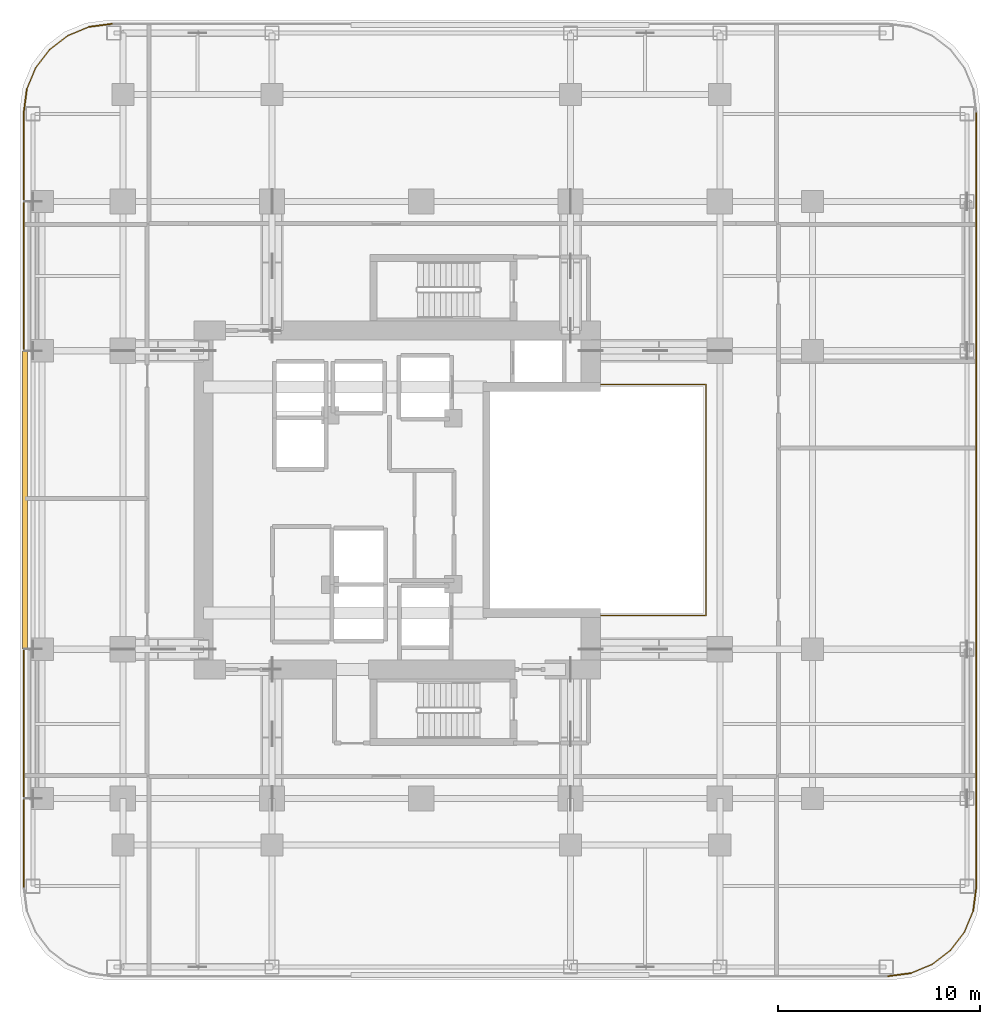
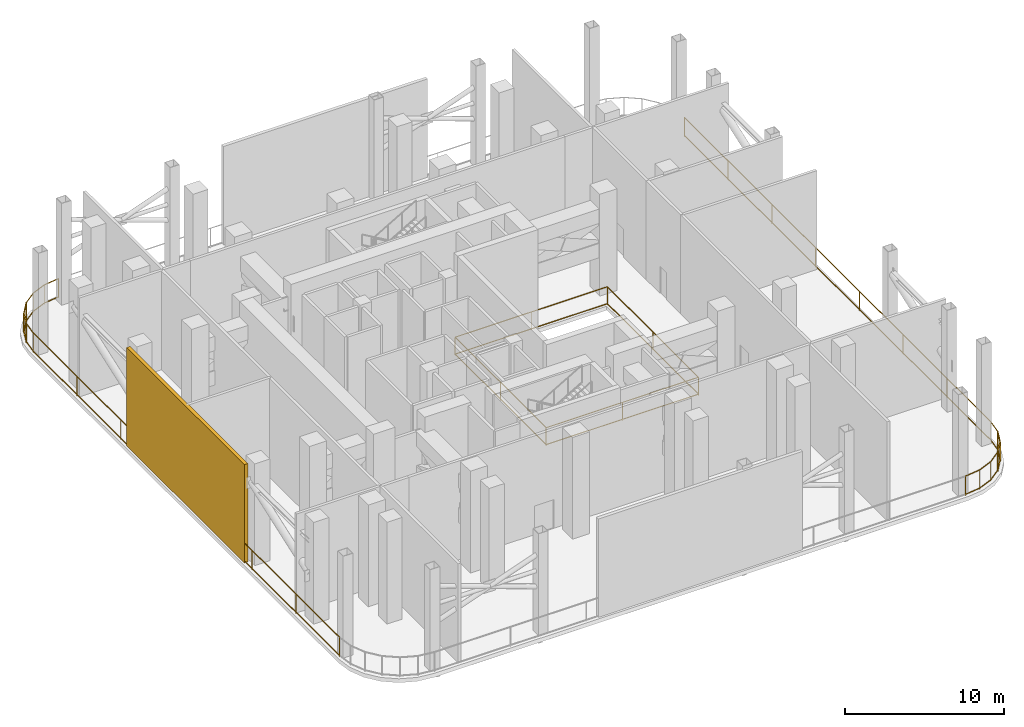
# One storey, part 9 of 10: 15 railings, 1 shading device.
"""IFC4 building model written with IfcOpenShell, lengths in metres."""

from ifc_helpers import new_model, si_unit, direction, frame, origin, origin_2d, place, context, subcontext, project, spatial, rectangle, extrude, material, layer, layer_set, type_object, element, save


model = new_model("IFC4")

# Units and contexts
model_context = context("Model", 3, precision=1e-05, world=origin(), true_north=direction((0.0, 1.0)))
body_context = subcontext(model_context, "Body", "Model", "MODEL_VIEW")
ifc_project = project(units=[si_unit("LENGTHUNIT", "METRE"), si_unit("AREAUNIT", "SQUARE_METRE"), si_unit("VOLUMEUNIT", "CUBIC_METRE"), si_unit("PLANEANGLEUNIT", "RADIAN"), si_unit("MASSUNIT", "GRAM", prefix="KILO")], contexts=[model_context])

# Site, building, storey
site_placement = place(None, origin())
site = spatial("IfcSite", under=ifc_project, at=site_placement, CompositionType="ELEMENT")
building_placement = place(site_placement, origin())
building = spatial("IfcBuilding", under=site, at=building_placement, Name="Khorvyn Point Tower", CompositionType="ELEMENT")
storey_placement = place(building_placement, frame((0.0, 0.0, 156.300048828125)))
storey = spatial("IfcBuildingStorey", under=building, at=storey_placement, Name="L39", CompositionType="ELEMENT", Elevation=156.300048828125)

# Shading device
ifc_material_1 = material(Name="Pale anodised aluminium 6063-T6", Category="aluminium")
ifc_layer = layer(ifc_material_1, 0.25)
ifc_layer_set = layer_set([ifc_layer], Name="Acoustic Hurricane-Louvre Plant Screen")
shading_device_type = type_object("IfcShadingDeviceType", Name="Acoustic Hurricane-Louvre Plant Screen", PredefinedType="JALOUSIE", material=ifc_layer_set)
shading_device_placement = place(storey_placement, frame((-19.64990234375, 0.0, 0.02001953125), z_axis=(0.0, 0.0, 1.0), x_axis=(1.0, 0.0, 0.0)))
element("IfcShadingDevice", 1, at=shading_device_placement, inside=storey, type_object=shading_device_type, Name="L39 Acoustic Hurricane Plant Louvre W", PredefinedType="JALOUSIE", context=body_context, shape_type="SweptSolid", body=[
    extrude(rectangle(XDim=0.25, YDim=14.800048828125, at=origin_2d()), origin(), (0.0, 0.0, 1.0), 7.5400390625),
])

# Railings
ifc_material_2 = material(Name="Stainless steel 1.4401 and laminated glass", Category="steel")
railing_type_1 = type_object("IfcRailingType", Name="Crystal Atrium Smoke-Rated Perimeter Guardrail 1400", PredefinedType="GUARDRAIL", material=ifc_material_2)
railing_1_placement = place(storey_placement, frame((3.080078125, -5.719970703125, 0.0)))
element("IfcRailing", 2, at=railing_1_placement, inside=storey, type_object=railing_type_1, Name="L39 Crystal Atrium Perimeter Guardrail", PredefinedType="GUARDRAIL", context=body_context, shape_type="SweptSolid", body=[
    extrude(rectangle(XDim=0.048095703125, YDim=0.048095703125, at=origin_2d()), frame((0.0, 0.0, 1.3759765625), z_axis=(1.0, 0.0, 0.0), x_axis=(0.0, 1.0, 0.0)), (0.0, 0.0, 1.0), 11.0400390625),
    extrude(rectangle(XDim=0.048095703125, YDim=0.048095703125, at=origin_2d()), frame((0.0, 0.0, 0.080078125), z_axis=(1.0, 0.0, 0.0), x_axis=(0.0, 1.0, 0.0)), (0.0, 0.0, 1.0), 11.0400390625),
    extrude(rectangle(XDim=0.048095703125, YDim=0.048095703125, at=origin_2d()), frame((11.0400390625, 0.0, 1.3759765625), z_axis=(0.0, 1.0, 0.0), x_axis=(-1.0, 0.0, 0.0)), (0.0, 0.0, 1.0), 11.43994140625),
    extrude(rectangle(XDim=0.048095703125, YDim=0.048095703125, at=origin_2d()), frame((11.0400390625, 0.0, 0.080078125), z_axis=(0.0, 1.0, 0.0), x_axis=(-1.0, 0.0, 0.0)), (0.0, 0.0, 1.0), 11.43994140625),
    extrude(rectangle(XDim=0.048095703125, YDim=0.048095703125, at=origin_2d()), frame((11.0400390625, 11.43994140625, 1.3759765625), z_axis=(-1.0, 0.0, 0.0), x_axis=(0.0, -1.0, 0.0)), (0.0, 0.0, 1.0), 11.0400390625),
    extrude(rectangle(XDim=0.048095703125, YDim=0.048095703125, at=origin_2d()), frame((11.0400390625, 11.43994140625, 0.080078125), z_axis=(-1.0, 0.0, 0.0), x_axis=(0.0, -1.0, 0.0)), (0.0, 0.0, 1.0), 11.0400390625),
    extrude(rectangle(XDim=0.048095703125, YDim=0.048095703125, at=origin_2d()), frame((0.0, 11.43994140625, 1.3759765625), z_axis=(0.0, -1.0, 0.0), x_axis=(1.0, 0.0, 0.0)), (0.0, 0.0, 1.0), 11.409912109375),
    extrude(rectangle(XDim=0.048095703125, YDim=0.048095703125, at=origin_2d()), frame((0.0, 11.43994140625, 0.080078125), z_axis=(0.0, -1.0, 0.0), x_axis=(1.0, 0.0, 0.0)), (0.0, 0.0, 1.0), 11.409912109375),
    extrude(rectangle(XDim=0.0419921875, YDim=0.0419921875, at=origin_2d()), origin(), (0.0, 0.0, 1.0), 1.351806640625),
    extrude(rectangle(XDim=0.0419921875, YDim=0.0419921875, at=origin_2d()), frame((5.52001953125, 0.0, 0.0)), (0.0, 0.0, 1.0), 1.351806640625),
    extrude(rectangle(XDim=0.0419921875, YDim=0.0419921875, at=origin_2d()), frame((11.0400390625, 0.0, 0.0)), (0.0, 0.0, 1.0), 1.351806640625),
    extrude(rectangle(XDim=0.0419921875, YDim=0.0419921875, at=origin_2d()), frame((11.0400390625, 5.719970703125, 0.0)), (0.0, 0.0, 1.0), 1.351806640625),
    extrude(rectangle(XDim=0.0419921875, YDim=0.0419921875, at=origin_2d()), frame((11.0400390625, 11.43994140625, 0.0)), (0.0, 0.0, 1.0), 1.351806640625),
    extrude(rectangle(XDim=0.0419921875, YDim=0.0419921875, at=origin_2d()), frame((5.52001953125, 11.43994140625, 0.0)), (0.0, 0.0, 1.0), 1.351806640625),
    extrude(rectangle(XDim=0.0419921875, YDim=0.0419921875, at=origin_2d()), frame((0.0, 11.43994140625, 0.0)), (0.0, 0.0, 1.0), 1.351806640625),
    extrude(rectangle(XDim=0.0419921875, YDim=0.0419921875, at=origin_2d()), frame((0.0, 5.73486328125, 0.0)), (0.0, 0.0, 1.0), 1.351806640625),
    extrude(rectangle(XDim=0.0419921875, YDim=0.0419921875, at=origin_2d()), frame((0.0, 0.030029296875, 0.0)), (0.0, 0.0, 1.0), 1.351806640625),
])
ifc_material_3 = material(Name="Stainless steel 1.4401", Category="steel")
railing_type_2 = type_object("IfcRailingType", Name="School Terrace Anti-Climb Safety Guardrail 1500", PredefinedType="GUARDRAIL", material=ifc_material_3)
railing_2_placement = place(storey_placement, frame((23.144775390625, -23.609619140625, 0.0)))
element("IfcRailing", 3, at=railing_2_placement, inside=storey, type_object=railing_type_2, Name="L39 Open Wind-Floor Perimeter Guardrail 01", PredefinedType="GUARDRAIL", context=body_context, shape_type="SweptSolid", body=[
    extrude(rectangle(XDim=0.048095703125, YDim=0.048095703125, at=origin_2d()), frame((0.0, 0.0, 1.47607421875), z_axis=(0.991449189531, 0.130493312389, 0.0), x_axis=(-0.130493312389, 0.991449189531, 0.0)), (0.0, 0.0, 1.0), 1.139404296875),
    extrude(rectangle(XDim=0.048095703125, YDim=0.048095703125, at=origin_2d()), frame((0.0, 0.0, 0.080078125), z_axis=(0.991449189531, 0.130493312389, 0.0), x_axis=(-0.130493312389, 0.991449189531, 0.0)), (0.0, 0.0, 1.0), 1.139404296875),
    extrude(rectangle(XDim=0.0419921875, YDim=0.0419921875, at=origin_2d()), origin(), (0.0, 0.0, 1.0), 1.451904296875),
    extrude(rectangle(XDim=0.0419921875, YDim=0.0419921875, at=origin_2d()), frame((1.129638671875, 0.148681640625, 0.0)), (0.0, 0.0, 1.0), 1.451904296875),
])
railing_3_placement = place(storey_placement, frame((24.2744140625, -23.4609375, 0.0)))
element("IfcRailing", 4, at=railing_3_placement, inside=storey, type_object=railing_type_2, Name="L39 Open Wind-Floor Perimeter Guardrail 02", PredefinedType="GUARDRAIL", context=body_context, shape_type="SweptSolid", body=[
    extrude(rectangle(XDim=0.048095703125, YDim=0.048095703125, at=origin_2d()), frame((0.0, 0.0, 1.47607421875), z_axis=(0.923886265288, 0.382667177599, 0.0), x_axis=(-0.382667177599, 0.923886265288, 0.0)), (0.0, 0.0, 1.0), 1.139404296875),
    extrude(rectangle(XDim=0.048095703125, YDim=0.048095703125, at=origin_2d()), frame((0.0, 0.0, 0.080078125), z_axis=(0.923886265288, 0.382667177599, 0.0), x_axis=(-0.382667177599, 0.923886265288, 0.0)), (0.0, 0.0, 1.0), 1.139404296875),
    extrude(rectangle(XDim=0.0419921875, YDim=0.0419921875, at=origin_2d()), origin(), (0.0, 0.0, 1.0), 1.451904296875),
    extrude(rectangle(XDim=0.0419921875, YDim=0.0419921875, at=origin_2d()), frame((1.052734375, 0.43603515625, 0.0)), (0.0, 0.0, 1.0), 1.451904296875),
])
railing_4_placement = place(storey_placement, frame((25.3271484375, -23.02490234375, 0.0)))
element("IfcRailing", 5, at=railing_4_placement, inside=storey, type_object=railing_type_2, Name="L39 Open Wind-Floor Perimeter Guardrail 03", PredefinedType="GUARDRAIL", context=body_context, shape_type="SweptSolid", body=[
    extrude(rectangle(XDim=0.048095703125, YDim=0.048095703125, at=origin_2d()), frame((0.0, 0.0, 1.47607421875), z_axis=(0.793395954562, 0.608705888985, 0.0), x_axis=(-0.608705888985, 0.793395954562, 0.0)), (0.0, 0.0, 1.0), 1.139404296875),
    extrude(rectangle(XDim=0.048095703125, YDim=0.048095703125, at=origin_2d()), frame((0.0, 0.0, 0.080078125), z_axis=(0.793395954562, 0.608705888985, 0.0), x_axis=(-0.608705888985, 0.793395954562, 0.0)), (0.0, 0.0, 1.0), 1.139404296875),
    extrude(rectangle(XDim=0.0419921875, YDim=0.0419921875, at=origin_2d()), origin(), (0.0, 0.0, 1.0), 1.451904296875),
    extrude(rectangle(XDim=0.0419921875, YDim=0.0419921875, at=origin_2d()), frame((0.904052734375, 0.693603515625, 0.0)), (0.0, 0.0, 1.0), 1.451904296875),
])
railing_5_placement = place(storey_placement, frame((26.231201171875, -22.331298828125, 0.0)))
element("IfcRailing", 6, at=railing_5_placement, inside=storey, type_object=railing_type_2, Name="L39 Open Wind-Floor Perimeter Guardrail 04", PredefinedType="GUARDRAIL", context=body_context, shape_type="SweptSolid", body=[
    extrude(rectangle(XDim=0.048095703125, YDim=0.048095703125, at=origin_2d()), frame((0.0, 0.0, 1.47607421875), z_axis=(0.608705888985, 0.793395954562, 0.0), x_axis=(-0.793395954562, 0.608705888985, 0.0)), (0.0, 0.0, 1.0), 1.139404296875),
    extrude(rectangle(XDim=0.048095703125, YDim=0.048095703125, at=origin_2d()), frame((0.0, 0.0, 0.080078125), z_axis=(0.608705888985, 0.793395954562, 0.0), x_axis=(-0.793395954562, 0.608705888985, 0.0)), (0.0, 0.0, 1.0), 1.139404296875),
    extrude(rectangle(XDim=0.0419921875, YDim=0.0419921875, at=origin_2d()), origin(), (0.0, 0.0, 1.0), 1.451904296875),
    extrude(rectangle(XDim=0.0419921875, YDim=0.0419921875, at=origin_2d()), frame((0.693603515625, 0.904052734375, 0.0)), (0.0, 0.0, 1.0), 1.451904296875),
])
railing_6_placement = place(storey_placement, frame((26.9248046875, -21.42724609375, 0.0)))
element("IfcRailing", 7, at=railing_6_placement, inside=storey, type_object=railing_type_2, Name="L39 Open Wind-Floor Perimeter Guardrail 05", PredefinedType="GUARDRAIL", context=body_context, shape_type="SweptSolid", body=[
    extrude(rectangle(XDim=0.048095703125, YDim=0.048095703125, at=origin_2d()), frame((0.0, 0.0, 1.47607421875), z_axis=(0.382667177599, 0.923886265288, 0.0), x_axis=(-0.923886265288, 0.382667177599, 0.0)), (0.0, 0.0, 1.0), 1.139404296875),
    extrude(rectangle(XDim=0.048095703125, YDim=0.048095703125, at=origin_2d()), frame((0.0, 0.0, 0.080078125), z_axis=(0.382667177599, 0.923886265288, 0.0), x_axis=(-0.923886265288, 0.382667177599, 0.0)), (0.0, 0.0, 1.0), 1.139404296875),
    extrude(rectangle(XDim=0.0419921875, YDim=0.0419921875, at=origin_2d()), origin(), (0.0, 0.0, 1.0), 1.451904296875),
    extrude(rectangle(XDim=0.0419921875, YDim=0.0419921875, at=origin_2d()), frame((0.43603515625, 1.052734375, 0.0)), (0.0, 0.0, 1.0), 1.451904296875),
])
railing_7_placement = place(storey_placement, frame((27.36083984375, -20.37451171875, 0.0)))
element("IfcRailing", 8, at=railing_7_placement, inside=storey, type_object=railing_type_2, Name="L39 Open Wind-Floor Perimeter Guardrail 06", PredefinedType="GUARDRAIL", context=body_context, shape_type="SweptSolid", body=[
    extrude(rectangle(XDim=0.048095703125, YDim=0.048095703125, at=origin_2d()), frame((0.0, 0.0, 1.47607421875), z_axis=(0.130493312389, 0.991449189531, 0.0), x_axis=(-0.991449189531, 0.130493312389, 0.0)), (0.0, 0.0, 1.0), 1.139404296875),
    extrude(rectangle(XDim=0.048095703125, YDim=0.048095703125, at=origin_2d()), frame((0.0, 0.0, 0.080078125), z_axis=(0.130493312389, 0.991449189531, 0.0), x_axis=(-0.991449189531, 0.130493312389, 0.0)), (0.0, 0.0, 1.0), 1.139404296875),
    extrude(rectangle(XDim=0.0419921875, YDim=0.0419921875, at=origin_2d()), origin(), (0.0, 0.0, 1.0), 1.451904296875),
    extrude(rectangle(XDim=0.0419921875, YDim=0.0419921875, at=origin_2d()), frame((0.148681640625, 1.129638671875, 0.0)), (0.0, 0.0, 1.0), 1.451904296875),
])
railing_8_placement = place(storey_placement, frame((27.509521484375, -19.244873046875, 0.0)))
element("IfcRailing", 9, at=railing_8_placement, inside=storey, type_object=railing_type_2, Name="L39 Open Wind-Floor Perimeter Guardrail 07", PredefinedType="GUARDRAIL", context=body_context, shape_type="SweptSolid", body=[
    extrude(rectangle(XDim=0.048095703125, YDim=0.048095703125, at=origin_2d()), frame((0.0, 0.0, 1.47607421875), z_axis=(0.0, 1.0, 0.0), x_axis=(-1.0, 0.0, 0.0)), (0.0, 0.0, 1.0), 38.48974609375),
    extrude(rectangle(XDim=0.048095703125, YDim=0.048095703125, at=origin_2d()), frame((0.0, 0.0, 0.080078125), z_axis=(0.0, 1.0, 0.0), x_axis=(-1.0, 0.0, 0.0)), (0.0, 0.0, 1.0), 38.48974609375),
    extrude(rectangle(XDim=0.0419921875, YDim=0.0419921875, at=origin_2d()), origin(), (0.0, 0.0, 1.0), 1.451904296875),
    extrude(rectangle(XDim=0.0419921875, YDim=0.0419921875, at=origin_2d()), frame((0.0, 5.49853515625, 0.0)), (0.0, 0.0, 1.0), 1.451904296875),
    extrude(rectangle(XDim=0.0419921875, YDim=0.0419921875, at=origin_2d()), frame((0.0, 10.9970703125, 0.0)), (0.0, 0.0, 1.0), 1.451904296875),
    extrude(rectangle(XDim=0.0419921875, YDim=0.0419921875, at=origin_2d()), frame((0.0, 16.49560546875, 0.0)), (0.0, 0.0, 1.0), 1.451904296875),
    extrude(rectangle(XDim=0.0419921875, YDim=0.0419921875, at=origin_2d()), frame((0.0, 21.994140625, 0.0)), (0.0, 0.0, 1.0), 1.451904296875),
    extrude(rectangle(XDim=0.0419921875, YDim=0.0419921875, at=origin_2d()), frame((0.0, 27.49267578125, 0.0)), (0.0, 0.0, 1.0), 1.451904296875),
    extrude(rectangle(XDim=0.0419921875, YDim=0.0419921875, at=origin_2d()), frame((0.0, 32.9912109375, 0.0)), (0.0, 0.0, 1.0), 1.451904296875),
    extrude(rectangle(XDim=0.0419921875, YDim=0.0419921875, at=origin_2d()), frame((0.0, 38.48974609375, 0.0)), (0.0, 0.0, 1.0), 1.451904296875),
])
railing_9_placement = place(storey_placement, frame((-15.3447265625, 23.609619140625, 0.0)))
element("IfcRailing", 10, at=railing_9_placement, inside=storey, type_object=railing_type_2, Name="L39 Open Wind-Floor Perimeter Guardrail 15", PredefinedType="GUARDRAIL", context=body_context, shape_type="SweptSolid", body=[
    extrude(rectangle(XDim=0.048095703125, YDim=0.048095703125, at=origin_2d()), frame((0.0, 0.0, 1.47607421875), z_axis=(-0.991452837147, -0.130465595899, 0.0), x_axis=(0.130465595899, -0.991452837147, 0.0)), (0.0, 0.0, 1.0), 1.1396484375),
    extrude(rectangle(XDim=0.048095703125, YDim=0.048095703125, at=origin_2d()), frame((0.0, 0.0, 0.080078125), z_axis=(-0.991452837147, -0.130465595899, 0.0), x_axis=(0.130465595899, -0.991452837147, 0.0)), (0.0, 0.0, 1.0), 1.1396484375),
    extrude(rectangle(XDim=0.0419921875, YDim=0.0419921875, at=origin_2d()), origin(), (0.0, 0.0, 1.0), 1.451904296875),
    extrude(rectangle(XDim=0.0419921875, YDim=0.0419921875, at=origin_2d()), frame((-1.1298828125, -0.148681640625, 0.0)), (0.0, 0.0, 1.0), 1.451904296875),
])
railing_10_placement = place(storey_placement, frame((-16.474609375, 23.4609375, 0.0)))
element("IfcRailing", 11, at=railing_10_placement, inside=storey, type_object=railing_type_2, Name="L39 Open Wind-Floor Perimeter Guardrail 16", PredefinedType="GUARDRAIL", context=body_context, shape_type="SweptSolid", body=[
    extrude(rectangle(XDim=0.048095703125, YDim=0.048095703125, at=origin_2d()), frame((0.0, 0.0, 1.47607421875), z_axis=(-0.923854881082, -0.382742940759, 0.0), x_axis=(0.382742940759, -0.923854881082, 0.0)), (0.0, 0.0, 1.0), 1.13916015625),
    extrude(rectangle(XDim=0.048095703125, YDim=0.048095703125, at=origin_2d()), frame((0.0, 0.0, 0.080078125), z_axis=(-0.923854881082, -0.382742940759, 0.0), x_axis=(0.382742940759, -0.923854881082, 0.0)), (0.0, 0.0, 1.0), 1.13916015625),
    extrude(rectangle(XDim=0.0419921875, YDim=0.0419921875, at=origin_2d()), origin(), (0.0, 0.0, 1.0), 1.451904296875),
    extrude(rectangle(XDim=0.0419921875, YDim=0.0419921875, at=origin_2d()), frame((-1.052490234375, -0.43603515625, 0.0)), (0.0, 0.0, 1.0), 1.451904296875),
])
railing_11_placement = place(storey_placement, frame((-17.527099609375, 23.02490234375, 0.0)))
element("IfcRailing", 12, at=railing_11_placement, inside=storey, type_object=railing_type_2, Name="L39 Open Wind-Floor Perimeter Guardrail 17", PredefinedType="GUARDRAIL", context=body_context, shape_type="SweptSolid", body=[
    extrude(rectangle(XDim=0.048095703125, YDim=0.048095703125, at=origin_2d()), frame((0.0, 0.0, 1.47607421875), z_axis=(-0.793395954562, -0.608705888985, 0.0), x_axis=(0.608705888985, -0.793395954562, 0.0)), (0.0, 0.0, 1.0), 1.139404296875),
    extrude(rectangle(XDim=0.048095703125, YDim=0.048095703125, at=origin_2d()), frame((0.0, 0.0, 0.080078125), z_axis=(-0.793395954562, -0.608705888985, 0.0), x_axis=(0.608705888985, -0.793395954562, 0.0)), (0.0, 0.0, 1.0), 1.139404296875),
    extrude(rectangle(XDim=0.0419921875, YDim=0.0419921875, at=origin_2d()), origin(), (0.0, 0.0, 1.0), 1.451904296875),
    extrude(rectangle(XDim=0.0419921875, YDim=0.0419921875, at=origin_2d()), frame((-0.904052734375, -0.693603515625, 0.0)), (0.0, 0.0, 1.0), 1.451904296875),
])
railing_12_placement = place(storey_placement, frame((-18.43115234375, 22.331298828125, 0.0)))
element("IfcRailing", 13, at=railing_12_placement, inside=storey, type_object=railing_type_2, Name="L39 Open Wind-Floor Perimeter Guardrail 18", PredefinedType="GUARDRAIL", context=body_context, shape_type="SweptSolid", body=[
    extrude(rectangle(XDim=0.048095703125, YDim=0.048095703125, at=origin_2d()), frame((0.0, 0.0, 1.47607421875), z_axis=(-0.608705888985, -0.793395954562, 0.0), x_axis=(0.793395954562, -0.608705888985, 0.0)), (0.0, 0.0, 1.0), 1.139404296875),
    extrude(rectangle(XDim=0.048095703125, YDim=0.048095703125, at=origin_2d()), frame((0.0, 0.0, 0.080078125), z_axis=(-0.608705888985, -0.793395954562, 0.0), x_axis=(0.793395954562, -0.608705888985, 0.0)), (0.0, 0.0, 1.0), 1.139404296875),
    extrude(rectangle(XDim=0.0419921875, YDim=0.0419921875, at=origin_2d()), origin(), (0.0, 0.0, 1.0), 1.451904296875),
    extrude(rectangle(XDim=0.0419921875, YDim=0.0419921875, at=origin_2d()), frame((-0.693603515625, -0.904052734375, 0.0)), (0.0, 0.0, 1.0), 1.451904296875),
])
railing_13_placement = place(storey_placement, frame((-19.124755859375, 21.42724609375, 0.0)))
element("IfcRailing", 14, at=railing_13_placement, inside=storey, type_object=railing_type_2, Name="L39 Open Wind-Floor Perimeter Guardrail 19", PredefinedType="GUARDRAIL", context=body_context, shape_type="SweptSolid", body=[
    extrude(rectangle(XDim=0.048095703125, YDim=0.048095703125, at=origin_2d()), frame((0.0, 0.0, 1.47607421875), z_axis=(-0.382667177599, -0.923886265288, 0.0), x_axis=(0.923886265288, -0.382667177599, 0.0)), (0.0, 0.0, 1.0), 1.139404296875),
    extrude(rectangle(XDim=0.048095703125, YDim=0.048095703125, at=origin_2d()), frame((0.0, 0.0, 0.080078125), z_axis=(-0.382667177599, -0.923886265288, 0.0), x_axis=(0.923886265288, -0.382667177599, 0.0)), (0.0, 0.0, 1.0), 1.139404296875),
    extrude(rectangle(XDim=0.0419921875, YDim=0.0419921875, at=origin_2d()), origin(), (0.0, 0.0, 1.0), 1.451904296875),
    extrude(rectangle(XDim=0.0419921875, YDim=0.0419921875, at=origin_2d()), frame((-0.43603515625, -1.052734375, 0.0)), (0.0, 0.0, 1.0), 1.451904296875),
])
railing_14_placement = place(storey_placement, frame((-19.560791015625, 20.37451171875, 0.0)))
element("IfcRailing", 15, at=railing_14_placement, inside=storey, type_object=railing_type_2, Name="L39 Open Wind-Floor Perimeter Guardrail 20", PredefinedType="GUARDRAIL", context=body_context, shape_type="SweptSolid", body=[
    extrude(rectangle(XDim=0.048095703125, YDim=0.048095703125, at=origin_2d()), frame((0.0, 0.0, 1.47607421875), z_axis=(-0.130703929505, -0.991421445608, 0.0), x_axis=(0.991421445608, -0.130703929505, 0.0)), (0.0, 0.0, 1.0), 1.139404296875),
    extrude(rectangle(XDim=0.048095703125, YDim=0.048095703125, at=origin_2d()), frame((0.0, 0.0, 0.080078125), z_axis=(-0.130703929505, -0.991421445608, 0.0), x_axis=(0.991421445608, -0.130703929505, 0.0)), (0.0, 0.0, 1.0), 1.139404296875),
    extrude(rectangle(XDim=0.0419921875, YDim=0.0419921875, at=origin_2d()), origin(), (0.0, 0.0, 1.0), 1.451904296875),
    extrude(rectangle(XDim=0.0419921875, YDim=0.0419921875, at=origin_2d()), frame((-0.14892578125, -1.129638671875, 0.0)), (0.0, 0.0, 1.0), 1.451904296875),
])
railing_15_placement = place(storey_placement, frame((-19.709716796875, 19.244873046875, 0.0)))
element("IfcRailing", 16, at=railing_15_placement, inside=storey, type_object=railing_type_2, Name="L39 Open Wind-Floor Perimeter Guardrail 21", PredefinedType="GUARDRAIL", context=body_context, shape_type="SweptSolid", body=[
    extrude(rectangle(XDim=0.048095703125, YDim=0.048095703125, at=origin_2d()), frame((0.0, 0.0, 1.47607421875), z_axis=(0.0, -1.0, 0.0), x_axis=(1.0, 0.0, 0.0)), (0.0, 0.0, 1.0), 38.48974609375),
    extrude(rectangle(XDim=0.048095703125, YDim=0.048095703125, at=origin_2d()), frame((0.0, 0.0, 0.080078125), z_axis=(0.0, -1.0, 0.0), x_axis=(1.0, 0.0, 0.0)), (0.0, 0.0, 1.0), 38.48974609375),
    extrude(rectangle(XDim=0.0419921875, YDim=0.0419921875, at=origin_2d()), origin(), (0.0, 0.0, 1.0), 1.451904296875),
    extrude(rectangle(XDim=0.0419921875, YDim=0.0419921875, at=origin_2d()), frame((0.0, -5.49853515625, 0.0)), (0.0, 0.0, 1.0), 1.451904296875),
    extrude(rectangle(XDim=0.0419921875, YDim=0.0419921875, at=origin_2d()), frame((0.0, -10.9970703125, 0.0)), (0.0, 0.0, 1.0), 1.451904296875),
    extrude(rectangle(XDim=0.0419921875, YDim=0.0419921875, at=origin_2d()), frame((0.0, -16.49560546875, 0.0)), (0.0, 0.0, 1.0), 1.451904296875),
    extrude(rectangle(XDim=0.0419921875, YDim=0.0419921875, at=origin_2d()), frame((0.0, -21.994140625, 0.0)), (0.0, 0.0, 1.0), 1.451904296875),
    extrude(rectangle(XDim=0.0419921875, YDim=0.0419921875, at=origin_2d()), frame((0.0, -27.49267578125, 0.0)), (0.0, 0.0, 1.0), 1.451904296875),
    extrude(rectangle(XDim=0.0419921875, YDim=0.0419921875, at=origin_2d()), frame((0.0, -32.9912109375, 0.0)), (0.0, 0.0, 1.0), 1.451904296875),
    extrude(rectangle(XDim=0.0419921875, YDim=0.0419921875, at=origin_2d()), frame((0.0, -38.48974609375, 0.0)), (0.0, 0.0, 1.0), 1.451904296875),
])

save(model, "model.ifc")
